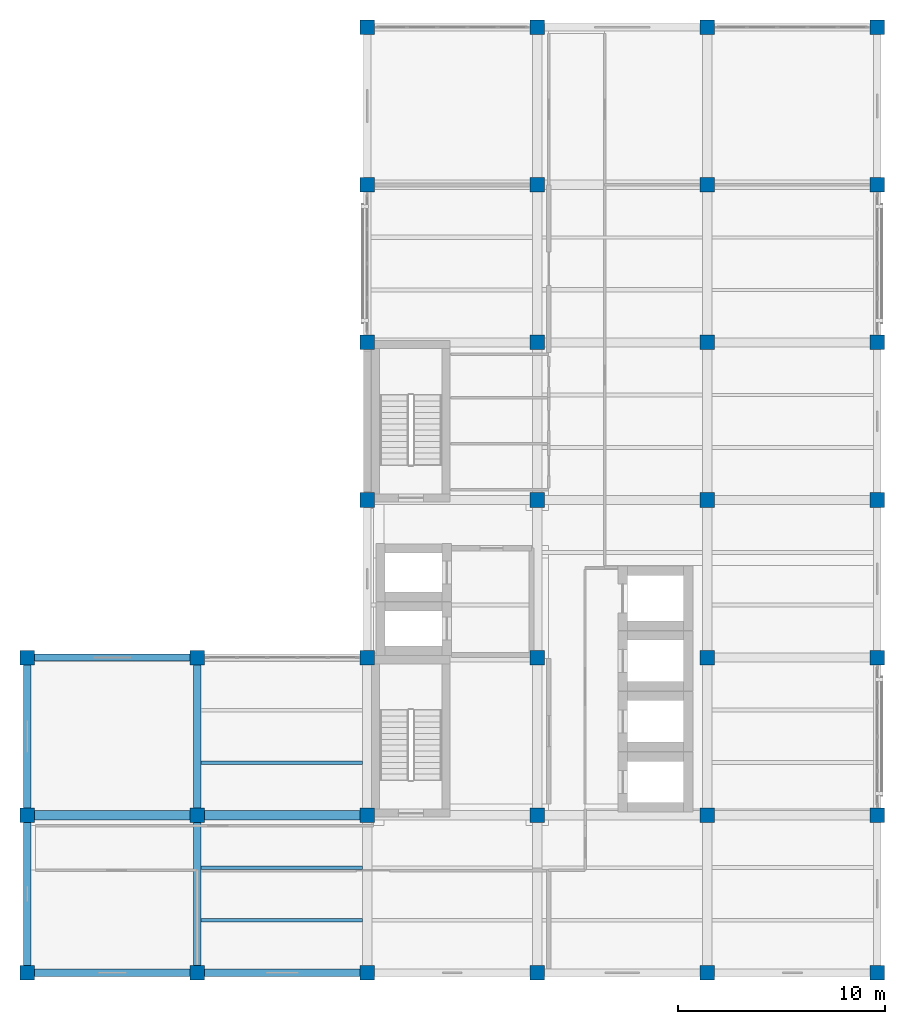
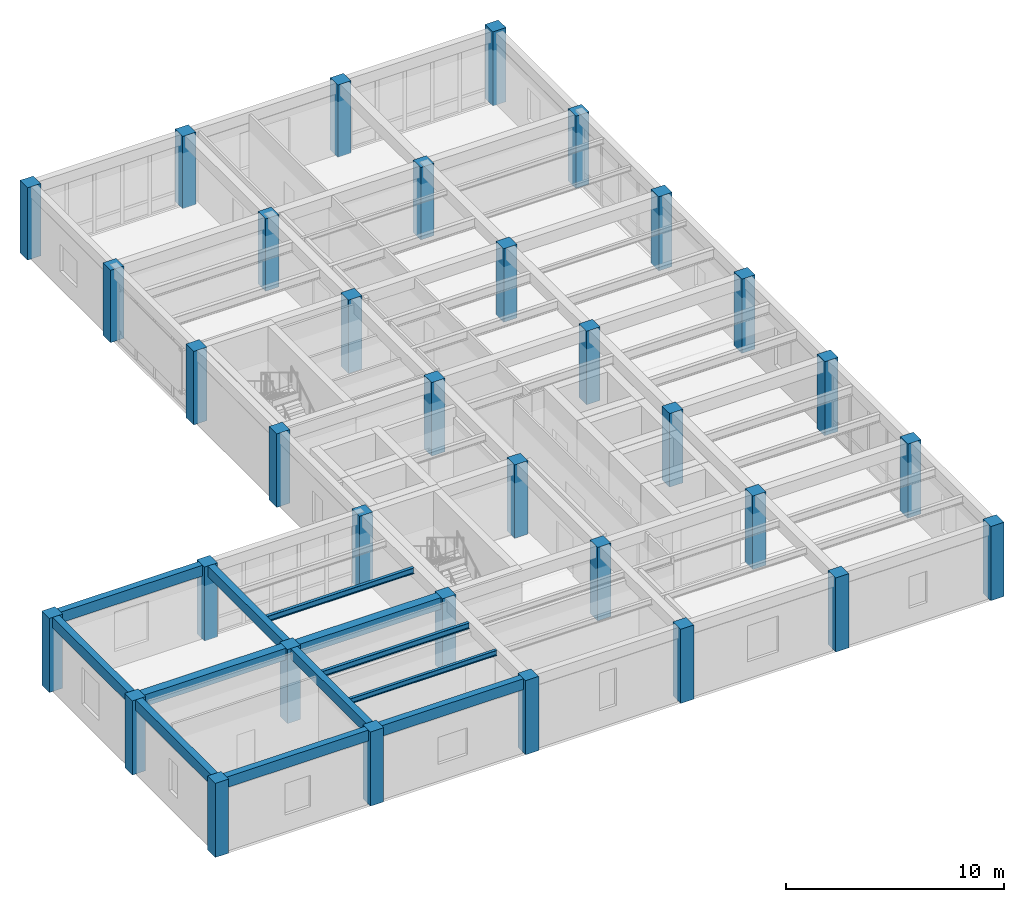
# One storey, part 1 of 13: 34 columns, 12 beams.
"""IFC4 building model written with IfcOpenShell, lengths in metres."""

from ifc_helpers import new_model, si_unit, direction, frame, origin, origin_2d, place, context, subcontext, project, spatial, rectangle, i_section, extrude, material, material_profile, profile_set, type_object, element, save


model = new_model("IFC4")

# Units and contexts
model_context = context("Model", 3, precision=1e-05, world=origin(), true_north=direction((0.0, 1.0)))
body_context = subcontext(model_context, "Body", "Model", "MODEL_VIEW")
ifc_project = project(units=[si_unit("LENGTHUNIT", "METRE"), si_unit("AREAUNIT", "SQUARE_METRE"), si_unit("VOLUMEUNIT", "CUBIC_METRE"), si_unit("PLANEANGLEUNIT", "RADIAN"), si_unit("MASSUNIT", "GRAM", prefix="KILO")], contexts=[model_context])

# Site, building, storey
site_placement = place(None, origin())
site = spatial("IfcSite", under=ifc_project, at=site_placement, CompositionType="ELEMENT")
building_placement = place(site_placement, origin())
building = spatial("IfcBuilding", under=site, at=building_placement, Name="Qandaris Square Conservatory and Botanical Centre", CompositionType="ELEMENT")
storey_placement = place(building_placement, frame((0.0, 0.0, 61.800048828125)))
storey = spatial("IfcBuildingStorey", under=building, at=storey_placement, Name="L14", CompositionType="ELEMENT", Elevation=61.800048828125)

# Columns
ifc_material_1 = material(Name="Concrete C50/60", Category="concrete")
ifc_material_profile_1 = material_profile(ifc_material_1, rectangle(XDim=0.699951171875, YDim=0.699951171875, at=origin_2d()), Name="RC-COL 700x700")
ifc_profile_set_1 = profile_set([ifc_material_profile_1], Name="Concrete C50/60")
column_type = type_object("IfcColumnType", Name="RC Column 700x700", PredefinedType="COLUMN", material=ifc_profile_set_1)
for number, where, z_axis, x_axis, name in (
    (1, (122.800048828125, 16.60009765625, 0.0), (0.0, 0.0, 1.0), (1.0, 0.0, 0.0), "Column B15 (L14)"),
    (2, (122.800048828125, 24.199951171875, 0.0), (0.0, 0.0, 1.0), (1.0, 0.0, 0.0), "Column C15 (L14)"),
    (3, (122.800048828125, 31.800048828125, 0.0), (0.0, 0.0, 1.0), (1.0, 0.0, 0.0), "Column D15 (L14)"),
    (4, (131.0, 16.60009765625, 0.0), (0.0, 0.0, 1.0), (1.0, 0.0, 0.0), "Column B16 (L14)"),
    (5, (131.0, 24.199951171875, 0.0), (0.0, 0.0, 1.0), (1.0, 0.0, 0.0), "Column C16 (L14)"),
    (6, (131.0, 31.800048828125, 0.0), (0.0, 0.0, 1.0), (1.0, 0.0, 0.0), "Column D16 (L14)"),
    (7, (139.199951171875, 16.60009765625, 0.0), (0.0, 0.0, 1.0), (1.0, 0.0, 0.0), "Column B17 (L14)"),
):
    element("IfcColumn", number, at=place(storey_placement, frame(where, z_axis=z_axis, x_axis=x_axis)), inside=storey, type_object=column_type, Name=name, PredefinedType="COLUMN", context=body_context, shape_type="SweptSolid", body=[
        extrude(rectangle(XDim=0.699951171875, YDim=0.699951171875, at=origin_2d()), origin(), (0.0, 0.0, 1.0), 4.14501953125),
    ])
for number, where, z_axis, x_axis, name in (
    (8, (139.199951171875, 24.199951171875, 0.0), (0.0, 0.0, 1.0), (1.0, 0.0, 0.0), "Column C17 (L14)"),
    (9, (139.199951171875, 31.800048828125, 0.0), (0.0, 0.0, 1.0), (1.0, 0.0, 0.0), "Column D17 (L14)"),
    (10, (139.199951171875, 39.39990234375, 0.0), (0.0, 0.0, 1.0), (1.0, 0.0, 0.0), "Column E17 (L14)"),
    (11, (139.199951171875, 47.0, 0.0), (0.0, 0.0, 1.0), (1.0, 0.0, 0.0), "Column F17 (L14)"),
):
    element("IfcColumn", number, at=place(storey_placement, frame(where, z_axis=z_axis, x_axis=x_axis)), inside=storey, type_object=column_type, Name=name, PredefinedType="COLUMN", context=body_context, shape_type="SweptSolid", body=[
        extrude(rectangle(XDim=0.699951171875, YDim=0.699951171875, at=origin_2d()), origin(), (0.0, 0.0, 1.0), 4.10986328125),
    ])
for number, where, z_axis, x_axis, name in (
    (12, (139.199951171875, 54.60009765625, 0.0), (0.0, 0.0, 1.0), (1.0, 0.0, 0.0), "Column G17 (L14)"),
    (13, (139.199951171875, 62.199951171875, 0.0), (0.0, 0.0, 1.0), (1.0, 0.0, 0.0), "Column H17 (L14)"),
):
    element("IfcColumn", number, at=place(storey_placement, frame(where, z_axis=z_axis, x_axis=x_axis)), inside=storey, type_object=column_type, Name=name, PredefinedType="COLUMN", context=body_context, shape_type="SweptSolid", body=[
        extrude(rectangle(XDim=0.699951171875, YDim=0.699951171875, at=origin_2d()), origin(), (0.0, 0.0, 1.0), 4.0400390625),
    ])
column_1_placement = place(storey_placement, frame((147.39990234375, 16.60009765625, 0.0), z_axis=(0.0, 0.0, 1.0), x_axis=(1.0, 0.0, 0.0)))
element("IfcColumn", 14, at=column_1_placement, inside=storey, type_object=column_type, Name="Column B18 (L14)", PredefinedType="COLUMN", context=body_context, shape_type="SweptSolid", body=[
    extrude(rectangle(XDim=0.699951171875, YDim=0.699951171875, at=origin_2d()), origin(), (0.0, 0.0, 1.0), 4.14501953125),
])
for number, where, z_axis, x_axis, name in (
    (15, (147.39990234375, 24.199951171875, 0.0), (0.0, 0.0, 1.0), (1.0, 0.0, 0.0), "Column C18 (L14)"),
    (16, (147.39990234375, 31.800048828125, 0.0), (0.0, 0.0, 1.0), (1.0, 0.0, 0.0), "Column D18 (L14)"),
    (17, (147.39990234375, 39.39990234375, 0.0), (0.0, 0.0, 1.0), (1.0, 0.0, 0.0), "Column E18 (L14)"),
    (18, (147.39990234375, 47.0, 0.0), (0.0, 0.0, 1.0), (1.0, 0.0, 0.0), "Column F18 (L14)"),
):
    element("IfcColumn", number, at=place(storey_placement, frame(where, z_axis=z_axis, x_axis=x_axis)), inside=storey, type_object=column_type, Name=name, PredefinedType="COLUMN", context=body_context, shape_type="SweptSolid", body=[
        extrude(rectangle(XDim=0.699951171875, YDim=0.699951171875, at=origin_2d()), origin(), (0.0, 0.0, 1.0), 4.10986328125),
    ])
for number, where, z_axis, x_axis, name in (
    (19, (147.39990234375, 54.60009765625, 0.0), (0.0, 0.0, 1.0), (1.0, 0.0, 0.0), "Column G18 (L14)"),
    (20, (147.39990234375, 62.199951171875, 0.0), (0.0, 0.0, 1.0), (1.0, 0.0, 0.0), "Column H18 (L14)"),
):
    element("IfcColumn", number, at=place(storey_placement, frame(where, z_axis=z_axis, x_axis=x_axis)), inside=storey, type_object=column_type, Name=name, PredefinedType="COLUMN", context=body_context, shape_type="SweptSolid", body=[
        extrude(rectangle(XDim=0.699951171875, YDim=0.699951171875, at=origin_2d()), origin(), (0.0, 0.0, 1.0), 4.0400390625),
    ])
column_2_placement = place(storey_placement, frame((155.60009765625, 16.60009765625, 0.0), z_axis=(0.0, 0.0, 1.0), x_axis=(1.0, 0.0, 0.0)))
element("IfcColumn", 21, at=column_2_placement, inside=storey, type_object=column_type, Name="Column B19 (L14)", PredefinedType="COLUMN", context=body_context, shape_type="SweptSolid", body=[
    extrude(rectangle(XDim=0.699951171875, YDim=0.699951171875, at=origin_2d()), origin(), (0.0, 0.0, 1.0), 4.14501953125),
])
for number, where, z_axis, x_axis, name in (
    (22, (155.60009765625, 24.199951171875, 0.0), (0.0, 0.0, 1.0), (1.0, 0.0, 0.0), "Column C19 (L14)"),
    (23, (155.60009765625, 31.800048828125, 0.0), (0.0, 0.0, 1.0), (1.0, 0.0, 0.0), "Column D19 (L14)"),
    (24, (155.60009765625, 39.39990234375, 0.0), (0.0, 0.0, 1.0), (1.0, 0.0, 0.0), "Column E19 (L14)"),
    (25, (155.60009765625, 47.0, 0.0), (0.0, 0.0, 1.0), (1.0, 0.0, 0.0), "Column F19 (L14)"),
):
    element("IfcColumn", number, at=place(storey_placement, frame(where, z_axis=z_axis, x_axis=x_axis)), inside=storey, type_object=column_type, Name=name, PredefinedType="COLUMN", context=body_context, shape_type="SweptSolid", body=[
        extrude(rectangle(XDim=0.699951171875, YDim=0.699951171875, at=origin_2d()), origin(), (0.0, 0.0, 1.0), 4.10986328125),
    ])
for number, where, z_axis, x_axis, name in (
    (26, (155.60009765625, 54.60009765625, 0.0), (0.0, 0.0, 1.0), (1.0, 0.0, 0.0), "Column G19 (L14)"),
    (27, (155.60009765625, 62.199951171875, 0.0), (0.0, 0.0, 1.0), (1.0, 0.0, 0.0), "Column H19 (L14)"),
):
    element("IfcColumn", number, at=place(storey_placement, frame(where, z_axis=z_axis, x_axis=x_axis)), inside=storey, type_object=column_type, Name=name, PredefinedType="COLUMN", context=body_context, shape_type="SweptSolid", body=[
        extrude(rectangle(XDim=0.699951171875, YDim=0.699951171875, at=origin_2d()), origin(), (0.0, 0.0, 1.0), 4.0400390625),
    ])
for number, where, z_axis, x_axis, name in (
    (28, (163.800048828125, 16.60009765625, 0.0), (0.0, 0.0, 1.0), (1.0, 0.0, 0.0), "Column B20 (L14)"),
    (29, (163.800048828125, 24.199951171875, 0.0), (0.0, 0.0, 1.0), (1.0, 0.0, 0.0), "Column C20 (L14)"),
    (30, (163.800048828125, 31.800048828125, 0.0), (0.0, 0.0, 1.0), (1.0, 0.0, 0.0), "Column D20 (L14)"),
    (31, (163.800048828125, 39.39990234375, 0.0), (0.0, 0.0, 1.0), (1.0, 0.0, 0.0), "Column E20 (L14)"),
    (32, (163.800048828125, 47.0, 0.0), (0.0, 0.0, 1.0), (1.0, 0.0, 0.0), "Column F20 (L14)"),
):
    element("IfcColumn", number, at=place(storey_placement, frame(where, z_axis=z_axis, x_axis=x_axis)), inside=storey, type_object=column_type, Name=name, PredefinedType="COLUMN", context=body_context, shape_type="SweptSolid", body=[
        extrude(rectangle(XDim=0.699951171875, YDim=0.699951171875, at=origin_2d()), origin(), (0.0, 0.0, 1.0), 4.14501953125),
    ])
column_3_placement = place(storey_placement, frame((163.800048828125, 54.60009765625, 0.0), z_axis=(0.0, 0.0, 1.0), x_axis=(1.0, 0.0, 0.0)))
element("IfcColumn", 33, at=column_3_placement, inside=storey, type_object=column_type, Name="Column G20 (L14)", PredefinedType="COLUMN", context=body_context, shape_type="SweptSolid", body=[
    extrude(rectangle(XDim=0.699951171875, YDim=0.699951171875, at=origin_2d()), origin(), (0.0, 0.0, 1.0), 4.0400390625),
])
column_4_placement = place(storey_placement, frame((163.800048828125, 62.199951171875, 0.0), z_axis=(0.0, 0.0, 1.0), x_axis=(1.0, 0.0, 0.0)))
element("IfcColumn", 34, at=column_4_placement, inside=storey, type_object=column_type, Name="Column H20 (L14)", PredefinedType="COLUMN", context=body_context, shape_type="SweptSolid", body=[
    extrude(rectangle(XDim=0.699951171875, YDim=0.699951171875, at=origin_2d()), origin(), (0.0, 0.0, 1.0), 4.14501953125),
])

# Beams
ifc_material_2 = material(Name="Steel S355", Category="steel")
ifc_material_profile_2 = material_profile(ifc_material_2, i_section(OverallWidth=0.14990234375, OverallDepth=0.300048828125, WebThickness=0.007080078125, FlangeThickness=0.0107421875, FilletRadius=0.014892578125, at=origin_2d()), Name="IPE 300")
ifc_profile_set_2 = profile_set([ifc_material_profile_2], Name="Steel S355")
beam_type_1 = type_object("IfcBeamType", Name="Composite Lab Joist IPE 300", PredefinedType="JOIST", material=ifc_profile_set_2)
beam_1_placement = place(storey_placement, frame((131.175048828125, 19.13330078125, 3.949951171875), z_axis=(1.0, 0.0, 0.0), x_axis=(0.0, 1.0, 0.0)))
element("IfcBeam", 35, at=beam_1_placement, inside=storey, type_object=beam_type_1, Name="L14 Composite Joist 2878", PredefinedType="JOIST", context=body_context, shape_type="SweptSolid", body=[
    extrude(i_section(OverallWidth=0.14990234375, OverallDepth=0.300048828125, WebThickness=0.007080078125, FlangeThickness=0.0107421875, FilletRadius=0.014892578125, at=origin_2d()), origin(), (0.0, 0.0, 1.0), 7.800048828125),
])
ifc_material_profile_3 = material_profile(ifc_material_2, i_section(OverallWidth=0.159912109375, OverallDepth=0.330078125, WebThickness=0.007568359375, FlangeThickness=0.011474609375, FilletRadius=0.01806640625, at=origin_2d()), Name="IPE 330")
ifc_profile_set_3 = profile_set([ifc_material_profile_3], Name="Steel S355")
beam_type_2 = type_object("IfcBeamType", Name="Composite Lab Joist IPE 330", PredefinedType="JOIST", material=ifc_profile_set_3)
for number, where, z_axis, x_axis, name in (
    (36, (131.175048828125, 21.666748046875, 3.93505859375), (1.0, 0.0, 0.0), (0.0, 1.0, 0.0), "L14 Composite Joist 2879"),
    (37, (131.175048828125, 26.7333984375, 3.93505859375), (1.0, 0.0, 0.0), (0.0, 1.0, 0.0), "L14 Composite Joist 2880"),
):
    element("IfcBeam", number, at=place(storey_placement, frame(where, z_axis=z_axis, x_axis=x_axis)), inside=storey, type_object=beam_type_2, Name=name, PredefinedType="JOIST", context=body_context, shape_type="SweptSolid", body=[
        extrude(i_section(OverallWidth=0.159912109375, OverallDepth=0.330078125, WebThickness=0.007568359375, FlangeThickness=0.011474609375, FilletRadius=0.01806640625, at=origin_2d()), origin(), (0.0, 0.0, 1.0), 7.800048828125),
    ])
ifc_material_profile_4 = material_profile(ifc_material_1, rectangle(XDim=0.35009765625, YDim=0.60009765625, at=origin_2d()), Name="RC-SP 350x600")
ifc_profile_set_4 = profile_set([ifc_material_profile_4], Name="Concrete C50/60")
beam_type_3 = type_object("IfcBeamType", Name="RC Edge Spandrel Beam 350x600", PredefinedType="SPANDREL", material=ifc_profile_set_4)
for number, where, z_axis, x_axis, name in (
    (38, (122.800048828125, 16.60009765625, 3.844970703125), (1.0, 0.0, 0.0), (0.0, 1.0, 0.0), "L14 Frame Beam 2824"),
    (39, (131.0, 16.60009765625, 3.844970703125), (1.0, 0.0, 0.0), (0.0, 1.0, 0.0), "L14 Frame Beam 2825"),
    (40, (122.800048828125, 31.800048828125, 3.844970703125), (1.0, 0.0, 0.0), (0.0, 1.0, 0.0), "L14 Frame Beam 2834"),
):
    element("IfcBeam", number, at=place(storey_placement, frame(where, z_axis=z_axis, x_axis=x_axis)), inside=storey, type_object=beam_type_3, Name=name, PredefinedType="SPANDREL", context=body_context, shape_type="SweptSolid", body=[
        extrude(rectangle(XDim=0.35009765625, YDim=0.60009765625, at=origin_2d()), origin(), (0.0, 0.0, 1.0), 8.199951171875),
    ])
beam_2_placement = place(storey_placement, frame((122.800048828125, 16.60009765625, 3.844970703125), z_axis=(0.0, 1.0, 0.0), x_axis=(-1.0, 0.0, 0.0)))
element("IfcBeam", 41, at=beam_2_placement, inside=storey, type_object=beam_type_3, Name="L14 Frame Beam 2850", PredefinedType="SPANDREL", context=body_context, shape_type="SweptSolid", body=[
    extrude(rectangle(XDim=0.35009765625, YDim=0.60009765625, at=origin_2d()), origin(), (0.0, 0.0, 1.0), 7.599853515625),
])
beam_3_placement = place(storey_placement, frame((122.800048828125, 24.199951171875, 3.844970703125), z_axis=(0.0, 1.0, 0.0), x_axis=(-1.0, 0.0, 0.0)))
element("IfcBeam", 42, at=beam_3_placement, inside=storey, type_object=beam_type_3, Name="L14 Frame Beam 2851", PredefinedType="SPANDREL", context=body_context, shape_type="SweptSolid", body=[
    extrude(rectangle(XDim=0.35009765625, YDim=0.60009765625, at=origin_2d()), origin(), (0.0, 0.0, 1.0), 7.60009765625),
])
beam_4_placement = place(storey_placement, frame((131.0, 16.60009765625, 3.844970703125), z_axis=(0.0, 1.0, 0.0), x_axis=(-1.0, 0.0, 0.0)))
element("IfcBeam", 43, at=beam_4_placement, inside=storey, type_object=beam_type_3, Name="L14 Frame Beam 2852", PredefinedType="SPANDREL", context=body_context, shape_type="SweptSolid", body=[
    extrude(rectangle(XDim=0.35009765625, YDim=0.60009765625, at=origin_2d()), origin(), (0.0, 0.0, 1.0), 7.599853515625),
])
beam_5_placement = place(storey_placement, frame((131.0, 24.199951171875, 3.844970703125), z_axis=(0.0, 1.0, 0.0), x_axis=(-1.0, 0.0, 0.0)))
element("IfcBeam", 44, at=beam_5_placement, inside=storey, type_object=beam_type_3, Name="L14 Frame Beam 2853", PredefinedType="SPANDREL", context=body_context, shape_type="SweptSolid", body=[
    extrude(rectangle(XDim=0.35009765625, YDim=0.60009765625, at=origin_2d()), origin(), (0.0, 0.0, 1.0), 7.60009765625),
])
ifc_material_profile_5 = material_profile(ifc_material_1, rectangle(XDim=0.449951171875, YDim=0.64990234375, at=origin_2d()), Name="RC-BM 450x650")
ifc_profile_set_5 = profile_set([ifc_material_profile_5], Name="Concrete C50/60")
beam_type_4 = type_object("IfcBeamType", Name="RC Floor Girder 450x650", PredefinedType="BEAM", material=ifc_profile_set_5)
for number, where, z_axis, x_axis, name in (
    (45, (122.800048828125, 24.199951171875, 3.820068359375), (1.0, 0.0, 0.0), (0.0, 1.0, 0.0), "L14 Frame Beam 2829"),
    (46, (131.0, 24.199951171875, 3.784912109375), (1.0, 0.0, 0.0), (0.0, 1.0, 0.0), "L14 Frame Beam 2830"),
):
    element("IfcBeam", number, at=place(storey_placement, frame(where, z_axis=z_axis, x_axis=x_axis)), inside=storey, type_object=beam_type_4, Name=name, PredefinedType="BEAM", context=body_context, shape_type="SweptSolid", body=[
        extrude(rectangle(XDim=0.449951171875, YDim=0.64990234375, at=origin_2d()), origin(), (0.0, 0.0, 1.0), 8.199951171875),
    ])

save(model, "model.ifc")
